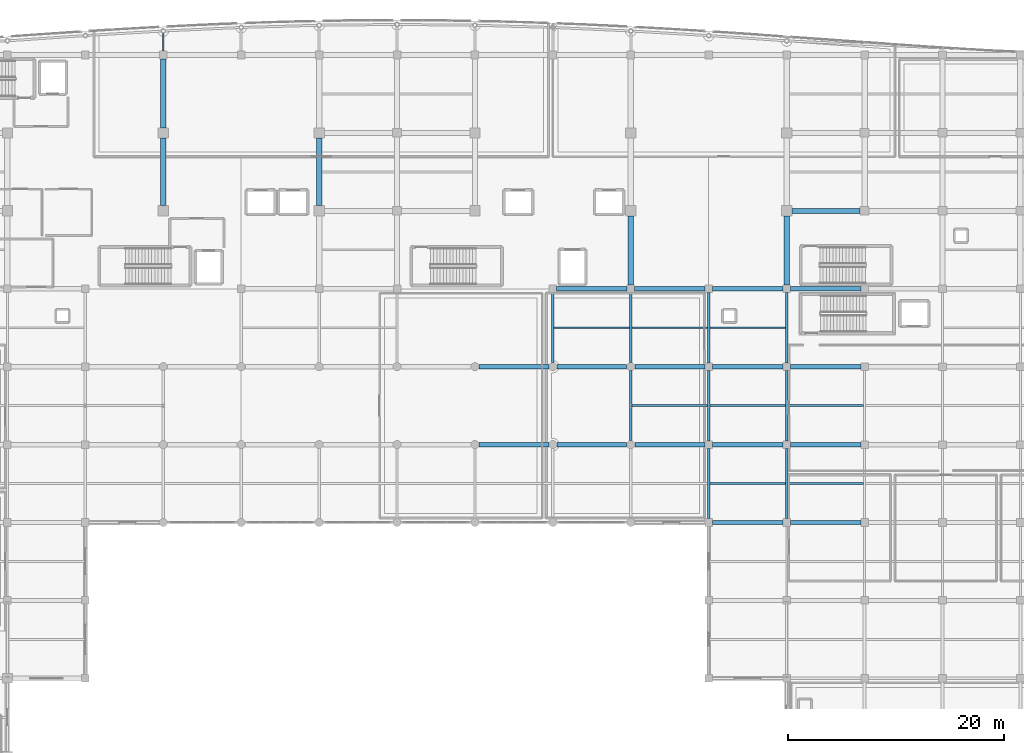
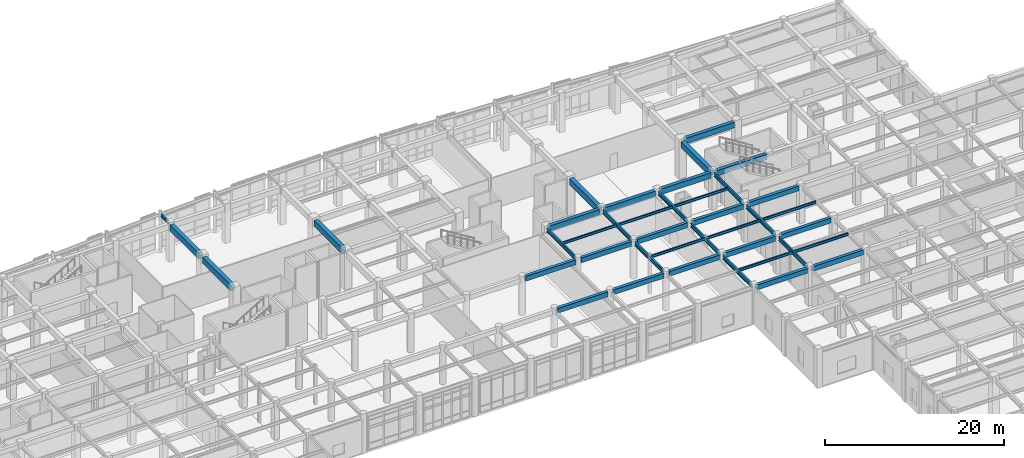
# One storey, part 40 of 102: 40 beams.
"""IFC4 building model written with IfcOpenShell, lengths in metres."""

from ifc_helpers import new_model, si_unit, direction, frame, origin, origin_2d, place, context, subcontext, project, spatial, rectangle, i_section, extrude, material, material_profile, profile_set, type_object, element, save


model = new_model("IFC4")

# Units and contexts
model_context = context("Model", 3, precision=1e-05, world=origin(), true_north=direction((0.0, 1.0)))
body_context = subcontext(model_context, "Body", "Model", "MODEL_VIEW")
ifc_project = project(units=[si_unit("LENGTHUNIT", "METRE"), si_unit("AREAUNIT", "SQUARE_METRE"), si_unit("VOLUMEUNIT", "CUBIC_METRE"), si_unit("PLANEANGLEUNIT", "RADIAN"), si_unit("MASSUNIT", "GRAM", prefix="KILO")], contexts=[model_context])

# Site, building, storey
site_placement = place(None, origin())
site = spatial("IfcSite", under=ifc_project, at=site_placement, CompositionType="ELEMENT")
building_placement = place(site_placement, origin())
building = spatial("IfcBuilding", under=site, at=building_placement, Name="Carrowvane Square Congress Hotel", CompositionType="ELEMENT")
storey_placement = place(building_placement, origin())
storey = spatial("IfcBuildingStorey", under=building, at=storey_placement, Name="L00", CompositionType="ELEMENT", Elevation=0.0)

# Beams
ifc_material_1 = material(Name="Concrete C35/45", Category="concrete")
ifc_material_profile_1 = material_profile(ifc_material_1, rectangle(XDim=0.39990234375, YDim=0.64990234375, at=origin_2d()), Name="RC 400x650")
ifc_profile_set_1 = profile_set([ifc_material_profile_1], Name="Concrete C35/45")
beam_type_1 = type_object("IfcBeamType", Name="BM-RC-400x650", PredefinedType="BEAM", material=ifc_profile_set_1)
for number, where, z_axis, x_axis, name in (
    (1, (127.14990234375, 70.199951171875, 4.77490234375), (1.0, 0.0, 0.0), (0.0, 1.0, 0.0), "L01 girder K/17-18"),
    (2, (134.35009765625, 70.199951171875, 4.77490234375), (1.0, 0.0, 0.0), (0.0, 1.0, 0.0), "L01 girder K/18-19"),
):
    element("IfcBeam", number, at=place(storey_placement, frame(where, z_axis=z_axis, x_axis=x_axis)), inside=storey, type_object=beam_type_1, Name=name, PredefinedType="BEAM", context=body_context, shape_type="SweptSolid", body=[
        extrude(rectangle(XDim=0.39990234375, YDim=0.64990234375, at=origin_2d()), origin(), (0.0, 0.0, 1.0), 6.5),
    ])
beam_1_placement = place(storey_placement, frame((105.574951171875, 77.39990234375, 4.77490234375), z_axis=(1.0, 0.0, 0.0), x_axis=(0.0, 1.0, 0.0)))
element("IfcBeam", 3, at=beam_1_placement, inside=storey, type_object=beam_type_1, Name="L01 girder L/14-15", PredefinedType="BEAM", context=body_context, shape_type="SweptSolid", body=[
    extrude(rectangle(XDim=0.39990234375, YDim=0.64990234375, at=origin_2d()), origin(), (0.0, 0.0, 1.0), 6.449951171875),
])
beam_2_placement = place(storey_placement, frame((112.77490234375, 77.39990234375, 4.77490234375), z_axis=(1.0, 0.0, 0.0), x_axis=(0.0, 1.0, 0.0)))
element("IfcBeam", 4, at=beam_2_placement, inside=storey, type_object=beam_type_1, Name="L01 girder L/15-16", PredefinedType="BEAM", context=body_context, shape_type="SweptSolid", body=[
    extrude(rectangle(XDim=0.39990234375, YDim=0.64990234375, at=origin_2d()), origin(), (0.0, 0.0, 1.0), 6.4501953125),
])
beam_3_placement = place(storey_placement, frame((119.97509765625, 77.39990234375, 4.77490234375), z_axis=(1.0, 0.0, 0.0), x_axis=(0.0, 1.0, 0.0)))
element("IfcBeam", 5, at=beam_3_placement, inside=storey, type_object=beam_type_1, Name="L01 girder L/16-17", PredefinedType="BEAM", context=body_context, shape_type="SweptSolid", body=[
    extrude(rectangle(XDim=0.39990234375, YDim=0.64990234375, at=origin_2d()), origin(), (0.0, 0.0, 1.0), 6.474853515625),
])
for number, where, z_axis, x_axis, name in (
    (6, (127.14990234375, 77.39990234375, 4.77490234375), (1.0, 0.0, 0.0), (0.0, 1.0, 0.0), "L01 girder L/17-18"),
    (7, (134.35009765625, 77.39990234375, 4.77490234375), (1.0, 0.0, 0.0), (0.0, 1.0, 0.0), "L01 girder L/18-19"),
):
    element("IfcBeam", number, at=place(storey_placement, frame(where, z_axis=z_axis, x_axis=x_axis)), inside=storey, type_object=beam_type_1, Name=name, PredefinedType="BEAM", context=body_context, shape_type="SweptSolid", body=[
        extrude(rectangle(XDim=0.39990234375, YDim=0.64990234375, at=origin_2d()), origin(), (0.0, 0.0, 1.0), 6.5),
    ])
beam_4_placement = place(storey_placement, frame((105.574951171875, 84.60009765625, 4.77490234375), z_axis=(1.0, 0.0, 0.0), x_axis=(0.0, 1.0, 0.0)))
element("IfcBeam", 8, at=beam_4_placement, inside=storey, type_object=beam_type_1, Name="L01 girder M/14-15", PredefinedType="BEAM", context=body_context, shape_type="SweptSolid", body=[
    extrude(rectangle(XDim=0.39990234375, YDim=0.64990234375, at=origin_2d()), origin(), (0.0, 0.0, 1.0), 6.449951171875),
])
beam_5_placement = place(storey_placement, frame((112.77490234375, 84.60009765625, 4.77490234375), z_axis=(1.0, 0.0, 0.0), x_axis=(0.0, 1.0, 0.0)))
element("IfcBeam", 9, at=beam_5_placement, inside=storey, type_object=beam_type_1, Name="L01 girder M/15-16", PredefinedType="BEAM", context=body_context, shape_type="SweptSolid", body=[
    extrude(rectangle(XDim=0.39990234375, YDim=0.64990234375, at=origin_2d()), origin(), (0.0, 0.0, 1.0), 6.4501953125),
])
beam_6_placement = place(storey_placement, frame((119.97509765625, 84.60009765625, 4.77490234375), z_axis=(1.0, 0.0, 0.0), x_axis=(0.0, 1.0, 0.0)))
element("IfcBeam", 10, at=beam_6_placement, inside=storey, type_object=beam_type_1, Name="L01 girder M/16-17", PredefinedType="BEAM", context=body_context, shape_type="SweptSolid", body=[
    extrude(rectangle(XDim=0.39990234375, YDim=0.64990234375, at=origin_2d()), origin(), (0.0, 0.0, 1.0), 6.474853515625),
])
for number, where, z_axis, x_axis, name in (
    (11, (127.14990234375, 84.60009765625, 4.77490234375), (1.0, 0.0, 0.0), (0.0, 1.0, 0.0), "L01 girder M/17-18"),
    (12, (134.35009765625, 84.60009765625, 4.77490234375), (1.0, 0.0, 0.0), (0.0, 1.0, 0.0), "L01 girder M/18-19"),
):
    element("IfcBeam", number, at=place(storey_placement, frame(where, z_axis=z_axis, x_axis=x_axis)), inside=storey, type_object=beam_type_1, Name=name, PredefinedType="BEAM", context=body_context, shape_type="SweptSolid", body=[
        extrude(rectangle(XDim=0.39990234375, YDim=0.64990234375, at=origin_2d()), origin(), (0.0, 0.0, 1.0), 6.5),
    ])
ifc_material_2 = material(Name="Concrete C35/45", Category="concrete")
ifc_material_profile_2 = material_profile(ifc_material_2, rectangle(XDim=0.449951171875, YDim=0.75, at=origin_2d()), Name="RC 450x750")
ifc_profile_set_2 = profile_set([ifc_material_profile_2], Name="Concrete C35/45")
beam_type_2 = type_object("IfcBeamType", Name="BM-RC-450x750", PredefinedType="USERDEFINED", material=ifc_profile_set_2)
for number, where, z_axis, x_axis, name in (
    (13, (112.75, 91.800048828125, 4.72509765625), (1.0, 0.0, 0.0), (0.0, 1.0, 0.0), "L01 girder N/15-16"),
    (14, (119.949951171875, 91.800048828125, 4.72509765625), (1.0, 0.0, 0.0), (0.0, 1.0, 0.0), "L01 girder N/16-17"),
    (15, (127.14990234375, 91.800048828125, 4.72509765625), (1.0, 0.0, 0.0), (0.0, 1.0, 0.0), "L01 girder N/17-18"),
    (16, (134.35009765625, 91.800048828125, 4.72509765625), (1.0, 0.0, 0.0), (0.0, 1.0, 0.0), "L01 girder N/18-19"),
):
    element("IfcBeam", number, at=place(storey_placement, frame(where, z_axis=z_axis, x_axis=x_axis)), inside=storey, type_object=beam_type_2, Name=name, ObjectType="GIRDER", PredefinedType="USERDEFINED", context=body_context, shape_type="SweptSolid", body=[
        extrude(rectangle(XDim=0.449951171875, YDim=0.75, at=origin_2d()), origin(), (0.0, 0.0, 1.0), 6.5),
    ])
beam_7_placement = place(storey_placement, frame((134.47509765625, 99.0, 4.72509765625), z_axis=(1.0, 0.0, 0.0), x_axis=(0.0, 1.0, 0.0)))
element("IfcBeam", 17, at=beam_7_placement, inside=storey, type_object=beam_type_2, Name="L01 girder P/18-19", ObjectType="GIRDER", PredefinedType="USERDEFINED", context=body_context, shape_type="SweptSolid", body=[
    extrude(rectangle(XDim=0.449951171875, YDim=0.75, at=origin_2d()), origin(), (0.0, 0.0, 1.0), 6.324951171875),
])
ifc_material_3 = material(Name="Concrete C35/45", Category="concrete")
ifc_material_profile_3 = material_profile(ifc_material_3, rectangle(XDim=0.5, YDim=0.85009765625, at=origin_2d()), Name="RC 500x850")
ifc_profile_set_3 = profile_set([ifc_material_profile_3], Name="Concrete C35/45")
beam_type_3 = type_object("IfcBeamType", Name="BM-RC-500x850", PredefinedType="USERDEFINED", material=ifc_profile_set_3)
beam_8_placement = place(storey_placement, frame((76.39990234375, 99.47509765625, 4.675048828125), z_axis=(0.0, 1.0, 0.0), x_axis=(-1.0, 0.0, 0.0)))
element("IfcBeam", 18, at=beam_8_placement, inside=storey, type_object=beam_type_3, Name="L01 girder 10/P-Q", ObjectType="GIRDER", PredefinedType="USERDEFINED", context=body_context, shape_type="SweptSolid", body=[
    extrude(rectangle(XDim=0.5, YDim=0.85009765625, at=origin_2d()), origin(), (0.0, 0.0, 1.0), 6.25),
])
beam_9_placement = place(storey_placement, frame((76.39990234375, 106.675048828125, 4.675048828125), z_axis=(0.0, 1.0, 0.0), x_axis=(-1.0, 0.0, 0.0)))
element("IfcBeam", 19, at=beam_9_placement, inside=storey, type_object=beam_type_3, Name="L01 girder 10/Q-R", ObjectType="GIRDER", PredefinedType="USERDEFINED", context=body_context, shape_type="SweptSolid", body=[
    extrude(rectangle(XDim=0.5, YDim=0.85009765625, at=origin_2d()), origin(), (0.0, 0.0, 1.0), 6.375),
])
beam_10_placement = place(storey_placement, frame((90.800048828125, 99.47509765625, 4.675048828125), z_axis=(0.0, 1.0, 0.0), x_axis=(-1.0, 0.0, 0.0)))
element("IfcBeam", 20, at=beam_10_placement, inside=storey, type_object=beam_type_3, Name="L01 girder 12/P-Q", ObjectType="GIRDER", PredefinedType="USERDEFINED", context=body_context, shape_type="SweptSolid", body=[
    extrude(rectangle(XDim=0.5, YDim=0.85009765625, at=origin_2d()), origin(), (0.0, 0.0, 1.0), 6.25),
])
for number, where, z_axis, x_axis, name in (
    (21, (119.60009765625, 92.14990234375, 4.675048828125), (0.0, 1.0, 0.0), (-1.0, 0.0, 0.0), "L01 girder 16/N-P"),
    (22, (134.0, 92.14990234375, 4.675048828125), (0.0, 1.0, 0.0), (-1.0, 0.0, 0.0), "L01 girder 18/N-P"),
):
    element("IfcBeam", number, at=place(storey_placement, frame(where, z_axis=z_axis, x_axis=x_axis)), inside=storey, type_object=beam_type_3, Name=name, ObjectType="GIRDER", PredefinedType="USERDEFINED", context=body_context, shape_type="SweptSolid", body=[
        extrude(rectangle(XDim=0.5, YDim=0.85009765625, at=origin_2d()), origin(), (0.0, 0.0, 1.0), 6.375),
    ])
ifc_material_4 = material(Name="Steel S355", Category="steel")
ifc_material_profile_4 = material_profile(ifc_material_4, i_section(OverallWidth=0.172119140625, OverallDepth=0.35791015625, WebThickness=0.008056640625, FlangeThickness=0.012939453125, FilletRadius=0.01025390625, at=origin_2d()), Name="UKB 356x171x57")
ifc_profile_set_4 = profile_set([ifc_material_profile_4], Name="Steel S355")
beam_type_4 = type_object("IfcBeamType", Name="BM-ST-UKB356", PredefinedType="JOIST", material=ifc_profile_set_4)
beam_11_placement = place(storey_placement, frame((112.5048828125, 88.199951171875, 4.9208984375), z_axis=(1.0, 0.0, 0.0), x_axis=(0.0, 1.0, 0.0)))
element("IfcBeam", 23, at=beam_11_placement, inside=storey, type_object=beam_type_4, Name="L01 secondary joist 15-16", PredefinedType="JOIST", context=body_context, shape_type="SweptSolid", body=[
    extrude(i_section(OverallWidth=0.172119140625, OverallDepth=0.35791015625, WebThickness=0.008056640625, FlangeThickness=0.012939453125, FilletRadius=0.01025390625, at=origin_2d()), origin(), (0.0, 0.0, 1.0), 6.990234375),
])
for number, where, z_axis, x_axis, name in (
    (24, (119.705078125, 81.0, 4.9208984375), (1.0, 0.0, 0.0), (0.0, 1.0, 0.0), "L01 secondary joist 16-17"),
    (25, (119.705078125, 88.199951171875, 4.9208984375), (1.0, 0.0, 0.0), (0.0, 1.0, 0.0), "L01 secondary joist 16-17"),
    (26, (126.905029296875, 73.800048828125, 4.9208984375), (1.0, 0.0, 0.0), (0.0, 1.0, 0.0), "L01 secondary joist 17-18"),
    (27, (126.905029296875, 81.0, 4.9208984375), (1.0, 0.0, 0.0), (0.0, 1.0, 0.0), "L01 secondary joist 17-18"),
    (28, (126.905029296875, 88.199951171875, 4.9208984375), (1.0, 0.0, 0.0), (0.0, 1.0, 0.0), "L01 secondary joist 17-18"),
    (29, (134.10498046875, 73.800048828125, 4.9208984375), (1.0, 0.0, 0.0), (0.0, 1.0, 0.0), "L01 secondary joist 18-19"),
    (30, (134.10498046875, 81.0, 4.9208984375), (1.0, 0.0, 0.0), (0.0, 1.0, 0.0), "L01 secondary joist 18-19"),
):
    element("IfcBeam", number, at=place(storey_placement, frame(where, z_axis=z_axis, x_axis=x_axis)), inside=storey, type_object=beam_type_4, Name=name, PredefinedType="JOIST", context=body_context, shape_type="SweptSolid", body=[
        extrude(i_section(OverallWidth=0.172119140625, OverallDepth=0.35791015625, WebThickness=0.008056640625, FlangeThickness=0.012939453125, FilletRadius=0.01025390625, at=origin_2d()), origin(), (0.0, 0.0, 1.0), 6.989990234375),
    ])
ifc_material_5 = material(Name="Steel S355", Category="steel")
ifc_material_profile_5 = material_profile(ifc_material_5, i_section(OverallWidth=0.1787109375, OverallDepth=0.409423828125, WebThickness=0.0087890625, FlangeThickness=0.014404296875, FilletRadius=0.01025390625, at=origin_2d()), Name="UKB 406x178x67")
ifc_profile_set_5 = profile_set([ifc_material_profile_5], Name="Steel S355")
beam_type_5 = type_object("IfcBeamType", Name="BM-ST-UKB406", PredefinedType="BEAM", material=ifc_profile_set_5)
beam_12_placement = place(storey_placement, frame((76.39990234375, 113.75, 4.895263671875), z_axis=(0.0, 1.0, 0.0), x_axis=(-1.0, 0.0, 0.0)))
element("IfcBeam", 31, at=beam_12_placement, inside=storey, type_object=beam_type_5, Name="L01 radial north beam 10", PredefinedType="BEAM", context=body_context, shape_type="SweptSolid", body=[
    extrude(i_section(OverallWidth=0.1787109375, OverallDepth=0.409423828125, WebThickness=0.0087890625, FlangeThickness=0.014404296875, FilletRadius=0.01025390625, at=origin_2d()), origin(), (0.0, 0.0, 1.0), 1.664306640625),
])
ifc_material_6 = material(Name="Steel S355", Category="steel")
ifc_material_profile_6 = material_profile(ifc_material_6, i_section(OverallWidth=0.2099609375, OverallDepth=0.53662109375, WebThickness=0.0107421875, FlangeThickness=0.017333984375, FilletRadius=0.0126953125, at=origin_2d()), Name="UKB 533x210x101")
ifc_profile_set_6 = profile_set([ifc_material_profile_6], Name="Steel S355")
beam_type_6 = type_object("IfcBeamType", Name="BM-ST-UKB533", PredefinedType="USERDEFINED", material=ifc_profile_set_6)
beam_13_placement = place(storey_placement, frame((112.39990234375, 84.97509765625, 4.83154296875), z_axis=(0.0, 1.0, 0.0), x_axis=(-1.0, 0.0, 0.0)))
element("IfcBeam", 32, at=beam_13_placement, inside=storey, type_object=beam_type_6, Name="L01 girder 15/M-N", ObjectType="GIRDER", PredefinedType="USERDEFINED", context=body_context, shape_type="SweptSolid", body=[
    extrude(i_section(OverallWidth=0.2099609375, OverallDepth=0.53662109375, WebThickness=0.0107421875, FlangeThickness=0.017333984375, FilletRadius=0.0126953125, at=origin_2d()), origin(), (0.0, 0.0, 1.0), 6.474853515625),
])
beam_14_placement = place(storey_placement, frame((119.60009765625, 77.77490234375, 4.83154296875), z_axis=(0.0, 1.0, 0.0), x_axis=(-1.0, 0.0, 0.0)))
element("IfcBeam", 33, at=beam_14_placement, inside=storey, type_object=beam_type_6, Name="L01 girder 16/L-M", ObjectType="GIRDER", PredefinedType="USERDEFINED", context=body_context, shape_type="SweptSolid", body=[
    extrude(i_section(OverallWidth=0.2099609375, OverallDepth=0.53662109375, WebThickness=0.0107421875, FlangeThickness=0.017333984375, FilletRadius=0.0126953125, at=origin_2d()), origin(), (0.0, 0.0, 1.0), 6.4501953125),
])
beam_15_placement = place(storey_placement, frame((119.60009765625, 84.97509765625, 4.83154296875), z_axis=(0.0, 1.0, 0.0), x_axis=(-1.0, 0.0, 0.0)))
element("IfcBeam", 34, at=beam_15_placement, inside=storey, type_object=beam_type_6, Name="L01 girder 16/M-N", ObjectType="GIRDER", PredefinedType="USERDEFINED", context=body_context, shape_type="SweptSolid", body=[
    extrude(i_section(OverallWidth=0.2099609375, OverallDepth=0.53662109375, WebThickness=0.0107421875, FlangeThickness=0.017333984375, FilletRadius=0.0126953125, at=origin_2d()), origin(), (0.0, 0.0, 1.0), 6.474853515625),
])
for number, where, z_axis, x_axis, name in (
    (35, (126.800048828125, 70.550048828125, 4.83154296875), (0.0, 1.0, 0.0), (-1.0, 0.0, 0.0), "L01 girder 17/K-L"),
    (36, (126.800048828125, 77.75, 4.83154296875), (0.0, 1.0, 0.0), (-1.0, 0.0, 0.0), "L01 girder 17/L-M"),
    (37, (126.800048828125, 84.949951171875, 4.83154296875), (0.0, 1.0, 0.0), (-1.0, 0.0, 0.0), "L01 girder 17/M-N"),
    (38, (134.0, 70.550048828125, 4.83154296875), (0.0, 1.0, 0.0), (-1.0, 0.0, 0.0), "L01 girder 18/K-L"),
    (39, (134.0, 77.75, 4.83154296875), (0.0, 1.0, 0.0), (-1.0, 0.0, 0.0), "L01 girder 18/L-M"),
    (40, (134.0, 84.949951171875, 4.83154296875), (0.0, 1.0, 0.0), (-1.0, 0.0, 0.0), "L01 girder 18/M-N"),
):
    element("IfcBeam", number, at=place(storey_placement, frame(where, z_axis=z_axis, x_axis=x_axis)), inside=storey, type_object=beam_type_6, Name=name, ObjectType="GIRDER", PredefinedType="USERDEFINED", context=body_context, shape_type="SweptSolid", body=[
        extrude(i_section(OverallWidth=0.2099609375, OverallDepth=0.53662109375, WebThickness=0.0107421875, FlangeThickness=0.017333984375, FilletRadius=0.0126953125, at=origin_2d()), origin(), (0.0, 0.0, 1.0), 6.5),
    ])

save(model, "model.ifc")
